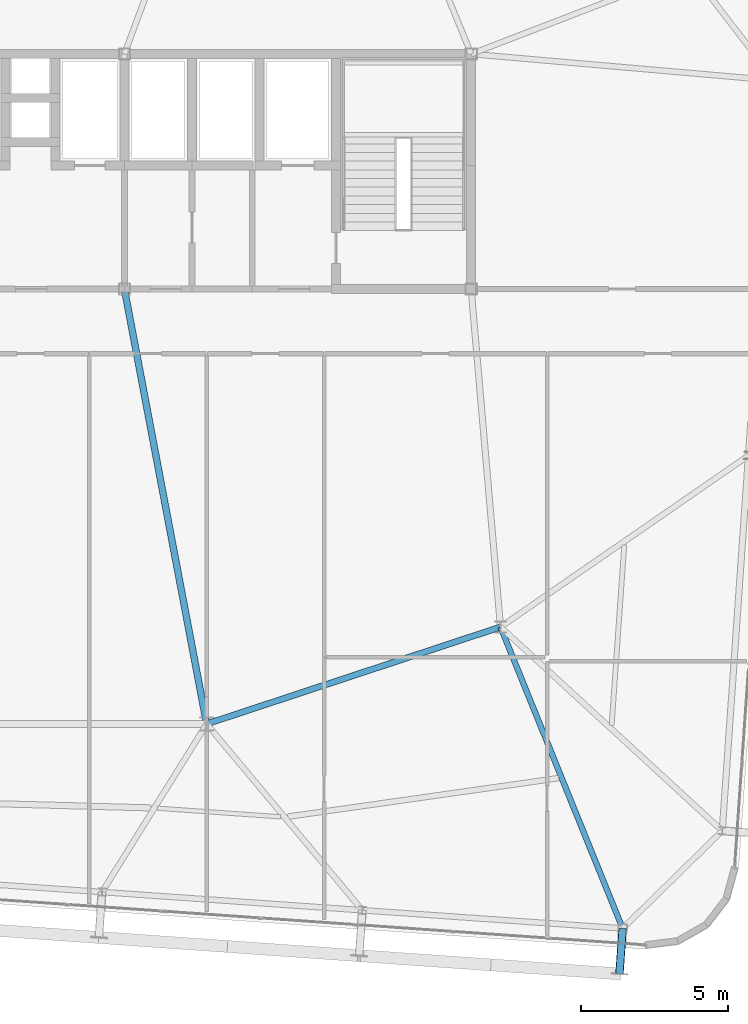
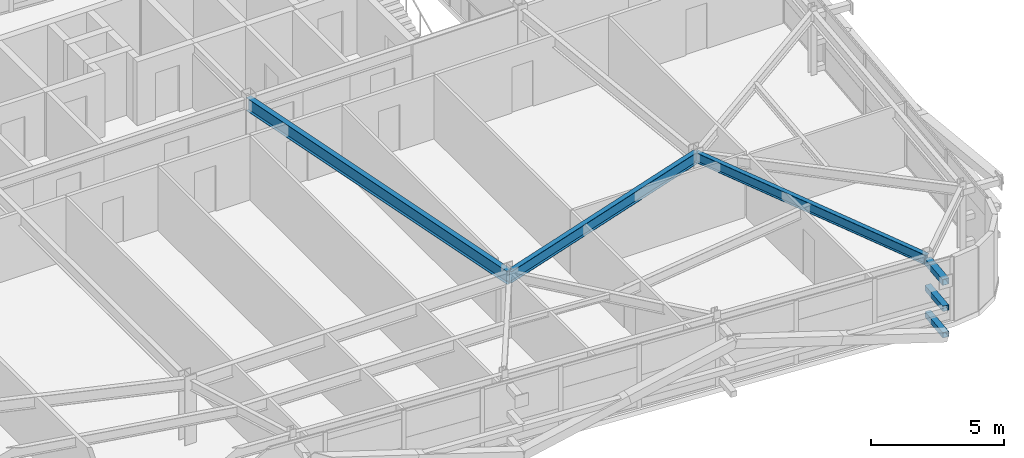
# One storey, part 20 of 47: 3 beams, 3 members.
"""IFC4 building model written with IfcOpenShell, lengths in metres."""

from ifc_helpers import new_model, si_unit, direction, frame, origin, origin_2d, place, context, subcontext, project, spatial, hollow_rectangle, i_section, extrude, source, transform, mapped, material, material_profile, profile_set, type_object, element, save


model = new_model("IFC4")

# Units and contexts
model_context = context("Model", 3, precision=1e-05, world=origin(), true_north=direction((0.0, 1.0)))
body_context = subcontext(model_context, "Body", "Model", "MODEL_VIEW")
ifc_project = project(units=[si_unit("LENGTHUNIT", "METRE"), si_unit("AREAUNIT", "SQUARE_METRE"), si_unit("VOLUMEUNIT", "CUBIC_METRE"), si_unit("PLANEANGLEUNIT", "RADIAN"), si_unit("MASSUNIT", "GRAM", prefix="KILO")], contexts=[model_context])

# Site, building, storey
site_placement = place(None, origin())
site = spatial("IfcSite", under=ifc_project, at=site_placement, CompositionType="ELEMENT")
building_placement = place(site_placement, origin())
building = spatial("IfcBuilding", under=site, at=building_placement, Name="Taldren Reach Tower", CompositionType="ELEMENT")
storey_placement = place(building_placement, frame((0.0, 0.0, 142.449951171875)))
storey = spatial("IfcBuildingStorey", under=building, at=storey_placement, Name="L43", CompositionType="ELEMENT", Elevation=142.449951171875)

# Beams
ifc_material_1 = material(Name="Steel Gr 350 (350PLUS)", Category="steel")
ifc_material_profile_1 = material_profile(ifc_material_1, i_section(OverallWidth=0.208984375, OverallDepth=0.532958984375, WebThickness=0.01025390625, FlangeThickness=0.015625, at=origin_2d()), Name="530UB92.4")
ifc_profile_set_1 = profile_set([ifc_material_profile_1], Name="Steel Gr 350 (350PLUS)")
beam_type_1 = type_object("IfcBeamType", Name="BM-UB530A", PredefinedType="BEAM", material=ifc_profile_set_1)
shared_shape_1 = source(origin(), body_context, "Body", "SweptSolid", [
    extrude(i_section(OverallWidth=0.208984375, OverallDepth=0.532958984375, WebThickness=0.01025390625, FlangeThickness=0.015625, at=origin_2d()), origin(), (0.0, 0.0, 1.0), 10.530517578125),
])
beam_1_placement = place(storey_placement, frame((42.0, 9.199951171875, 2.66357421875), z_axis=(0.949627269203, 0.313381635689, 0.0), x_axis=(-0.313381635689, 0.949627269203, 0.0)))
element("IfcBeam", 1, at=beam_1_placement, inside=storey, type_object=beam_type_1, Name="Core-spine girder L43-SP12", PredefinedType="BEAM", context=body_context, shape_type="MappedRepresentation", body=[
    mapped(shared_shape_1, transform((0.0, 0.0, 0.0), scale=1.0)),
])
ifc_material_profile_2 = material_profile(ifc_material_1, i_section(OverallWidth=0.22802734375, OverallDepth=0.60205078125, WebThickness=0.010498046875, FlangeThickness=0.014892578125, at=origin_2d()), Name="610UB101")
ifc_profile_set_2 = profile_set([ifc_material_profile_2], Name="Steel Gr 350 (350PLUS)")
beam_type_2 = type_object("IfcBeamType", Name="BM-UB610B", PredefinedType="BEAM", material=ifc_profile_set_2)
shared_shape_2 = source(origin(), body_context, "Body", "SweptSolid", [
    extrude(i_section(OverallWidth=0.22802734375, OverallDepth=0.60205078125, WebThickness=0.010498046875, FlangeThickness=0.014892578125, at=origin_2d()), origin(), (0.0, 0.0, 1.0), 15.0625),
])
beam_2_placement = place(storey_placement, frame((39.199951171875, 24.0, 2.629150390625), z_axis=(0.185894205668, -0.982569765614, 0.0), x_axis=(0.982569765614, 0.185894205668, 0.0)))
element("IfcBeam", 2, at=beam_2_placement, inside=storey, type_object=beam_type_2, Name="Core-spine girder L43-SP15", PredefinedType="BEAM", context=body_context, shape_type="MappedRepresentation", body=[
    mapped(shared_shape_2, transform((0.0, 0.0, 0.0), scale=1.0)),
])

# Members
ifc_material_2 = material(Name="Steel Gr 450 (C450L0)", Category="steel")
ifc_material_profile_3 = material_profile(ifc_material_2, hollow_rectangle(XDim=0.27490234375, YDim=0.27490234375, WallThickness=0.00927734375, at=origin_2d()), Name="275x275x9.3SHS")
ifc_profile_set_3 = profile_set([ifc_material_profile_3], Name="Steel Gr 450 (C450L0)")
member_type_1 = type_object("IfcMemberType", Name="MB-TIE273", PredefinedType="STRUT", material=ifc_profile_set_3)
shared_shape_3 = source(origin(), body_context, "Body", "SweptSolid", [
    extrude(hollow_rectangle(XDim=0.27490234375, YDim=0.27490234375, WallThickness=0.00927734375, at=origin_2d()), origin(), (0.0, 0.0, 1.0), 1.5498046875),
])
member_placement = place(storey_placement, frame((56.155517578125, 2.2412109375, 2.650146484375), z_axis=(-0.069780535098, -0.997562367434, 0.0), x_axis=(0.997562367434, -0.069780535098, 0.0)))
element("IfcMember", 3, at=member_placement, inside=storey, type_object=member_type_1, Name="Exoskeleton diaphragm tie strut B3-S6 L43", PredefinedType="STRUT", context=body_context, shape_type="MappedRepresentation", body=[
    mapped(shared_shape_3, transform((0.0, 0.0, 0.0), scale=1.0)),
])
ifc_material_3 = material(Name="Steel Gr 350 (C350L0)", Category="steel")
ifc_material_profile_4 = material_profile(ifc_material_3, hollow_rectangle(XDim=0.25, YDim=0.25, WallThickness=0.010009765625, at=origin_2d()), Name="250x250x10.0SHS")
ifc_profile_set_4 = profile_set([ifc_material_profile_4], Name="Steel Gr 350 (C350L0)")
member_type_2 = type_object("IfcMemberType", Name="MB-POST250", PredefinedType="POST", material=ifc_profile_set_4)
shared_shape_4 = source(origin(), body_context, "Body", "SweptSolid", [
    extrude(hollow_rectangle(XDim=0.25, YDim=0.25, WallThickness=0.010009765625, at=origin_2d()), origin(), (0.0, 0.0, 1.0), 1.5498046875),
])
for number, where, z_axis, x_axis, name in (
    (4, (56.155517578125, 2.2412109375, 0.219970703125), (-0.069780535098, -0.997562367434, 0.0), (0.997562367434, -0.069780535098, 0.0), "Exoskeleton base diaphragm tie strut B3-S6 L43"),
    (5, (56.155517578125, 2.2412109375, 1.43505859375), (-0.069780535098, -0.997562367434, 0.0), (0.997562367434, -0.069780535098, 0.0), "Exoskeleton mid-tier diaphragm tie B3-S6 L43"),
):
    element("IfcMember", number, at=place(storey_placement, frame(where, z_axis=z_axis, x_axis=x_axis)), inside=storey, type_object=member_type_2, Name=name, PredefinedType="POST", context=body_context, shape_type="MappedRepresentation", body=[
        mapped(shared_shape_4, transform((0.0, 0.0, 0.0), scale=1.0)),
    ])

# Beam
ifc_material_profile_5 = material_profile(ifc_material_1, i_section(OverallWidth=0.19091796875, OverallDepth=0.4599609375, WebThickness=0.010009765625, FlangeThickness=0.01611328125, at=origin_2d()), Name="460UB82.1")
ifc_profile_set_5 = profile_set([ifc_material_profile_5], Name="Steel Gr 350 (350PLUS)")
beam_type_3 = type_object("IfcBeamType", Name="BM-UB460A", PredefinedType="BEAM", material=ifc_profile_set_5)
shared_shape_5 = source(origin(), body_context, "Body", "SweptSolid", [
    extrude(i_section(OverallWidth=0.19091796875, OverallDepth=0.4599609375, WebThickness=0.010009765625, FlangeThickness=0.01611328125, at=origin_2d()), origin(), (0.0, 0.0, 1.0), 11.068359375),
])
beam_3_placement = place(storey_placement, frame((52.0, 12.5, 2.699951171875), z_axis=(0.375437319636, -0.92684778633, 0.0), x_axis=(0.92684778633, 0.375437319636, 0.0)))
element("IfcBeam", 6, at=beam_3_placement, inside=storey, type_object=beam_type_3, Name="Primary floor girder B3-S6 L43", PredefinedType="BEAM", context=body_context, shape_type="MappedRepresentation", body=[
    mapped(shared_shape_5, transform((0.0, 0.0, 0.0), scale=1.0)),
])

save(model, "model.ifc")
